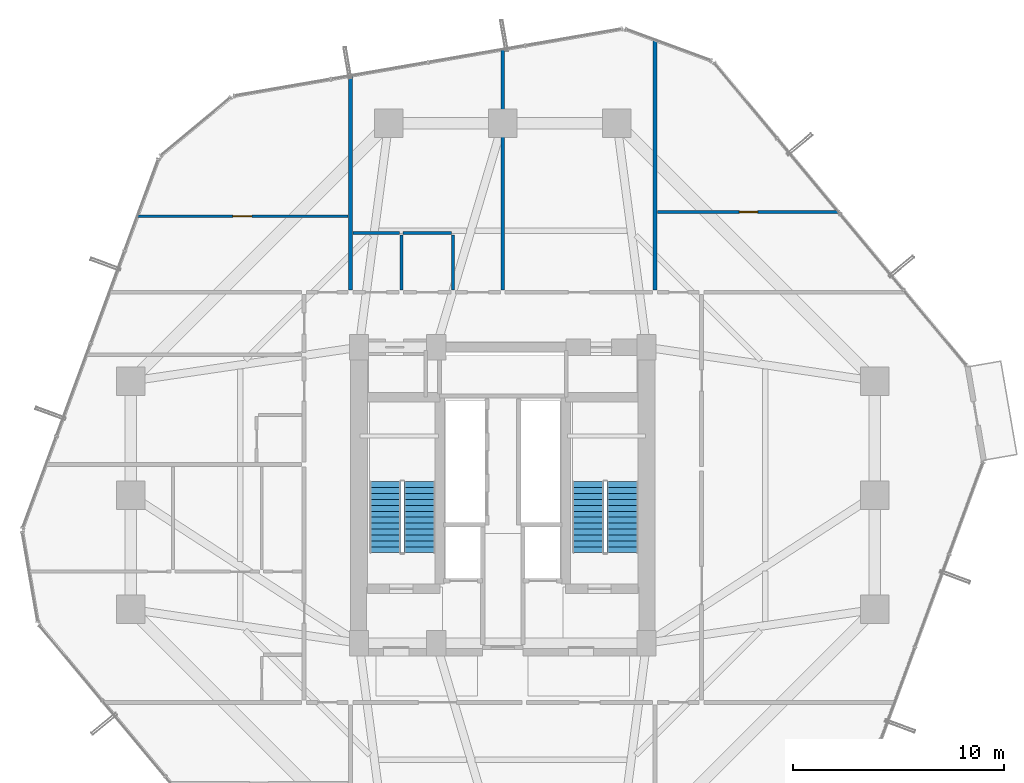
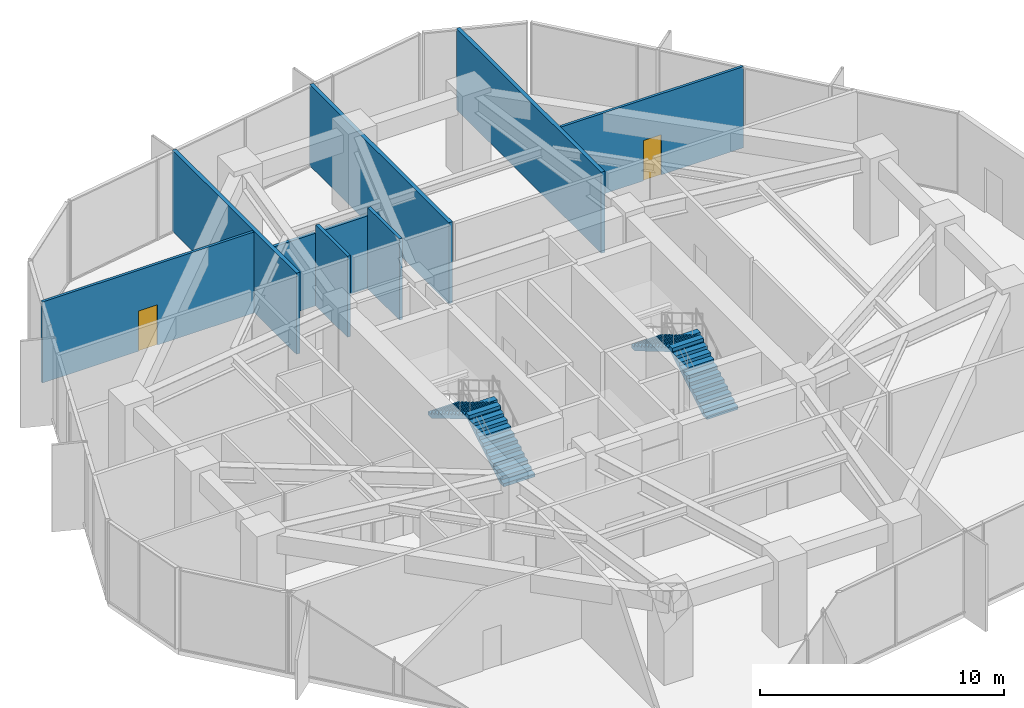
# One storey, part 33 of 35: 9 walls, 4 stair flights, 2 doors, 2 openings, 2 elements without a shape of their own.
"""IFC4 building model written with IfcOpenShell, lengths in metres."""

from ifc_helpers import new_model, si_unit, direction, frame, frame_2d, origin, place, context, subcontext, project, spatial, polyline, rectangle, outline, extrude, source, transform, mapped, material, layer, layer_set, type_object, element, fill, aggregate, save


model = new_model("IFC4")

# Units and contexts
model_context = context("Model", 3, precision=1e-05, world=origin(), true_north=direction((0.0, 1.0)))
body_context = subcontext(model_context, "Body", "Model", "MODEL_VIEW")
ifc_project = project(units=[si_unit("LENGTHUNIT", "METRE"), si_unit("AREAUNIT", "SQUARE_METRE"), si_unit("VOLUMEUNIT", "CUBIC_METRE"), si_unit("PLANEANGLEUNIT", "RADIAN"), si_unit("MASSUNIT", "GRAM", prefix="KILO")], contexts=[model_context])

# Site, building, storey
site_placement = place(None, origin())
site = spatial("IfcSite", under=ifc_project, at=site_placement, CompositionType="ELEMENT")
building_placement = place(site_placement, origin())
building = spatial("IfcBuilding", under=site, at=building_placement, Name="Veraguas Prism Commons", CompositionType="ELEMENT")
storey_placement = place(building_placement, frame((0.0, 0.0, 56.550048828125)))
storey = spatial("IfcBuildingStorey", under=building, at=storey_placement, Name="L15", CompositionType="ELEMENT", Elevation=56.550048828125)

# Walls
ifc_material_1 = material(Name="Autoclaved aerated masonry block 10 MPa", Category="masonry")
ifc_layer_1 = layer(ifc_material_1, 0.179931640625, Name="Corridor and Inter-Tenancy Partition 180", Category="masonry")
ifc_layer_set_1 = layer_set([ifc_layer_1], Name="Autoclaved aerated masonry block 10 MPa")
wall_type_1 = type_object("IfcWallType", Name="Corridor and Inter-Tenancy Partition 180", PredefinedType="PARTITIONING", material=ifc_layer_set_1)
wall_1_placement = place(storey_placement, frame((16.800048828125, 33.719970703125, 0.0), z_axis=(0.0, 0.0, 1.0), x_axis=(0.0, 1.0, 0.0)))
element("IfcWall", 1, at=wall_1_placement, inside=storey, type_object=wall_type_1, Name="WL-L15-PT005", PredefinedType="PARTITIONING", context=body_context, shape_type="SweptSolid", body=[
    extrude(rectangle(XDim=10.1591796875, YDim=0.179931640625, at=frame_2d((5.07958984375, 0.0))), origin(), (0.0, 0.0, 1.0), 4.050048828125),
])
wall_2_placement = place(storey_placement, frame((31.199951171875, 33.719970703125, 0.0), z_axis=(0.0, 0.0, 1.0), x_axis=(0.0, 1.0, 0.0)))
element("IfcWall", 2, at=wall_2_placement, inside=storey, type_object=wall_type_1, Name="WL-L15-PT006", PredefinedType="PARTITIONING", context=body_context, shape_type="SweptSolid", body=[
    extrude(rectangle(XDim=11.8515625, YDim=0.179931640625, at=frame_2d((5.92578125, 0.0))), origin(), (0.0, 0.0, 1.0), 4.050048828125),
])
wall_3_placement = place(storey_placement, frame((24.0, 33.719970703125, 0.0), z_axis=(0.0, 0.0, 1.0), x_axis=(0.0, 1.0, 0.0)))
element("IfcWall", 3, at=wall_3_placement, inside=storey, type_object=wall_type_1, Name="WL-L15-PT015", PredefinedType="PARTITIONING", context=body_context, shape_type="SweptSolid", body=[
    extrude(rectangle(XDim=11.40283203125, YDim=0.179931640625, at=frame_2d((5.701416015625, 0.0))), origin(), (0.0, 0.0, 1.0), 4.050048828125),
])

# Wall, opening, door
ifc_material_2 = material(Name="Lightweight acoustic gypsum board")
ifc_layer_2 = layer(ifc_material_2, 0.125, Name="Internal Apartment Room Partition 125")
ifc_layer_set_2 = layer_set([ifc_layer_2], Name="Lightweight acoustic gypsum board")
wall_type_2 = type_object("IfcWallType", Name="Internal Apartment Room Partition 125", PredefinedType="PARTITIONING", material=ifc_layer_set_2)
wall_4_placement = place(storey_placement, frame((6.677978515625, 37.199951171875, 0.0), z_axis=(0.0, 0.0, 1.0), x_axis=(1.0, 0.0, 0.0)))
wall_4 = element("IfcWall", 4, at=wall_4_placement, inside=storey, type_object=wall_type_2, Name="WL-L15-PT040", PredefinedType="PARTITIONING", context=body_context, shape_type="SweptSolid", body=[
    extrude(rectangle(XDim=10.001953125, YDim=0.125, at=frame_2d((5.0009765625, 0.0))), origin(), (0.0, 0.0, 1.0), 4.050048828125),
])
opening_1_placement = place(wall_4_placement, frame((4.551025390625, 0.0, 0.0)))
opening_1 = element("IfcOpeningElement", 5, at=opening_1_placement, cuts=wall_4, Name="Opening DR-02", PredefinedType="OPENING", context=body_context, shape_type="SweptSolid", body=[
    extrude(rectangle(XDim=0.89990234375, YDim=2.010009765625, at=frame_2d((0.449951171875, 1.0048828125))), frame((0.0, 0.072509765625, 0.0), z_axis=(0.0, -1.0, 0.0), x_axis=(1.0, 0.0, 0.0)), (0.0, 0.0, 1.0), 0.14501953125),
])
ifc_material_3 = material(Name="Timber solid core hardwood", Category="wood")
door_type_1 = type_object("IfcDoorType", Name="Internal Habitable Room Door 900x2010", OperationType="NOTDEFINED", PredefinedType="DOOR", material=ifc_material_3)
shared_shape_1 = source(origin(), body_context, "Body", "SweptSolid", [
    extrude(rectangle(XDim=0.89990234375, YDim=2.010009765625, at=frame_2d((0.449951171875, 1.0048828125))), frame((0.0, 0.02490234375, 0.0), z_axis=(0.0, -1.0, 0.0), x_axis=(1.0, 0.0, 0.0)), (0.0, 0.0, 1.0), 0.050048828125),
])
door_1_placement = place(opening_1_placement, origin())
door_1 = element("IfcDoor", 6, at=door_1_placement, inside=storey, type_object=door_type_1, Name="Craft Room NW Door", OperationType="SINGLE_SWING_RIGHT", OverallHeight=2.010009765625, OverallWidth=0.89990234375, PredefinedType="DOOR", context=body_context, shape_type="MappedRepresentation", body=[
    mapped(shared_shape_1, transform((0.0, 0.0, 0.0), scale=1.0)),
])
fill(opening_1, door_1)

wall_5_placement = place(storey_placement, frame((31.320068359375, 37.39990234375, 0.0), z_axis=(0.0, 0.0, 1.0), x_axis=(1.0, 0.0, 0.0)))
wall_5 = element("IfcWall", 7, at=wall_5_placement, inside=storey, type_object=wall_type_2, Name="WL-L15-PT042", PredefinedType="PARTITIONING", context=body_context, shape_type="SweptSolid", body=[
    extrude(rectangle(XDim=8.60791015625, YDim=0.125, at=frame_2d((4.303955078125, 0.0))), origin(), (0.0, 0.0, 1.0), 4.050048828125),
])
opening_2_placement = place(wall_5_placement, frame((3.8740234375, 0.0, 0.0)))
opening_2 = element("IfcOpeningElement", 8, at=opening_2_placement, cuts=wall_5, Name="Opening DR-03", PredefinedType="OPENING", context=body_context, shape_type="SweptSolid", body=[
    extrude(rectangle(XDim=0.860107421875, YDim=2.010009765625, at=frame_2d((0.43017578125, 1.0048828125))), frame((0.0, 0.072509765625, 0.0), z_axis=(0.0, -1.0, 0.0), x_axis=(1.0, 0.0, 0.0)), (0.0, 0.0, 1.0), 0.14501953125),
])
ifc_material_4 = material(Name="Timber moisture-resistant leaf", Category="wood")
door_type_2 = type_object("IfcDoorType", Name="Internal Bathroom Door 860x2010", OperationType="NOTDEFINED", PredefinedType="DOOR", material=ifc_material_4)
shared_shape_2 = source(origin(), body_context, "Body", "SweptSolid", [
    extrude(rectangle(XDim=0.860107421875, YDim=2.010009765625, at=frame_2d((0.43017578125, 1.0048828125))), frame((0.0, 0.02490234375, 0.0), z_axis=(0.0, -1.0, 0.0), x_axis=(1.0, 0.0, 0.0)), (0.0, 0.0, 1.0), 0.050048828125),
])
door_2_placement = place(opening_2_placement, origin())
door_2 = element("IfcDoor", 9, at=door_2_placement, inside=storey, type_object=door_type_2, Name="Corner Store NE Door", OperationType="SINGLE_SWING_RIGHT", OverallHeight=2.010009765625, OverallWidth=0.860107421875, PredefinedType="DOOR", context=body_context, shape_type="MappedRepresentation", body=[
    mapped(shared_shape_2, transform((0.0, 0.0, 0.0), scale=1.0)),
])
fill(opening_2, door_2)

# Walls
ifc_layer_3 = layer(ifc_material_2, 0.14990234375, Name="Wet Room and Clinic Acoustic Partition 150")
ifc_layer_set_3 = layer_set([ifc_layer_3], Name="Lightweight acoustic gypsum board")
wall_type_3 = type_object("IfcWallType", Name="Wet Room and Clinic Acoustic Partition 150", PredefinedType="PARTITIONING", material=ifc_layer_set_3)
for number, where, z_axis, x_axis, name in (
    (10, (19.199951171875, 33.719970703125, 0.0), (0.0, 0.0, 1.0), (0.0, 1.0, 0.0), "WL-L15-PT011"),
    (11, (21.64990234375, 33.719970703125, 0.0), (0.0, 0.0, 1.0), (0.0, 1.0, 0.0), "WL-L15-PT012"),
):
    element("IfcWall", number, at=place(storey_placement, frame(where, z_axis=z_axis, x_axis=x_axis)), inside=storey, type_object=wall_type_3, Name=name, PredefinedType="PARTITIONING", context=body_context, shape_type="SweptSolid", body=[
        extrude(rectangle(XDim=2.60009765625, YDim=0.14990234375, at=frame_2d((1.300048828125, 0.0))), origin(), (0.0, 0.0, 1.0), 4.050048828125),
    ])
wall_6_placement = place(storey_placement, frame((16.919921875, 36.39990234375, 0.0), z_axis=(0.0, 0.0, 1.0), x_axis=(1.0, 0.0, 0.0)))
element("IfcWall", 12, at=wall_6_placement, inside=storey, type_object=wall_type_3, Name="WL-L15-PT013", PredefinedType="PARTITIONING", context=body_context, shape_type="SweptSolid", body=[
    extrude(rectangle(XDim=2.2001953125, YDim=0.14990234375, at=frame_2d((1.10009765625, 0.0))), origin(), (0.0, 0.0, 1.0), 3.6298828125),
])
wall_7_placement = place(storey_placement, frame((19.280029296875, 36.39990234375, 0.0), z_axis=(0.0, 0.0, 1.0), x_axis=(1.0, 0.0, 0.0)))
element("IfcWall", 13, at=wall_7_placement, inside=storey, type_object=wall_type_3, Name="WL-L15-PT014", PredefinedType="PARTITIONING", context=body_context, shape_type="SweptSolid", body=[
    extrude(rectangle(XDim=2.2900390625, YDim=0.14990234375, at=frame_2d((1.14501953125, 0.0))), origin(), (0.0, 0.0, 1.0), 3.6298828125),
])

# Stair, stair flights
ifc_material_5 = material(Name="Precast concrete C45/55", Category="concrete")
stair_type = type_object("IfcStairType", Name="Dogleg Core Stair 1480W 26R 06", PredefinedType="HALF_TURN_STAIR", material=ifc_material_5)
stair_1_placement = place(storey_placement, origin())
stair_1 = element("IfcStair", 14, at=stair_1_placement, inside=storey, type_object=stair_type, Name="Protected Exit Stair ST-01 L15", PredefinedType="HALF_TURN_STAIR")
stair_flight_type = type_object("IfcStairFlightType", Name="Precast Stair Flight 1480W 13R 06", PredefinedType="STRAIGHT", material=ifc_material_5)
stair_flight_1_placement = place(storey_placement, frame((20.06005859375, 21.280029296875, 0.0), z_axis=(0.0, 0.0, 1.0), x_axis=(0.0, 1.0, 0.0)))
stair_flight_1 = element("IfcStairFlight", 15, at=stair_flight_1_placement, type_object=stair_flight_type, Name="ST-06 Flight 1", NumberOfRisers=13, NumberOfTreads=12, PredefinedType="STRAIGHT", RiserHeight=0.165384615, TreadLength=0.28, context=body_context, shape_type="SweptSolid", body=[
    extrude(outline(polyline([(0.0, 0.0), (0.0, 0.165283203125), (0.280029296875, 0.165283203125), (0.280029296875, 0.330810546875), (0.56005859375, 0.330810546875), (0.56005859375, 0.49609375), (0.840087890625, 0.49609375), (0.840087890625, 0.66162109375), (1.1201171875, 0.66162109375), (1.1201171875, 0.826904296875), (1.39990234375, 0.826904296875), (1.39990234375, 0.9921875), (1.679931640625, 0.9921875), (1.679931640625, 1.15771484375), (1.9599609375, 1.15771484375), (1.9599609375, 1.322998046875), (2.239990234375, 1.322998046875), (2.239990234375, 1.488525390625), (2.52001953125, 1.488525390625), (2.52001953125, 1.65380859375), (2.800048828125, 1.65380859375), (2.800048828125, 1.8193359375), (3.080078125, 1.8193359375), (3.080078125, 1.984619140625), (3.360107421875, 1.984619140625), (3.360107421875, 2.14990234375), (3.360107421875, 1.810546875), (0.294677734375, 0.0), (0.0, 0.0)])), frame((0.0, 0.739990234375, 0.0), z_axis=(0.0, -1.0, 0.0), x_axis=(1.0, 0.0, 0.0)), (0.0, 0.0, 1.0), 1.47998046875),
])
stair_flight_2_placement = place(storey_placement, frame((18.429931640625, 24.639892578125, 2.14990234375), z_axis=(0.0, 0.0, 1.0), x_axis=(0.0, -1.0, 0.0)))
stair_flight_2 = element("IfcStairFlight", 16, at=stair_flight_2_placement, type_object=stair_flight_type, Name="ST-06 Flight 2", NumberOfRisers=13, NumberOfTreads=12, PredefinedType="STRAIGHT", RiserHeight=0.165384615, TreadLength=0.28, context=body_context, shape_type="SweptSolid", body=[
    extrude(outline(polyline([(0.0, 0.0), (0.0, 0.165283203125), (0.280029296875, 0.165283203125), (0.280029296875, 0.330810546875), (0.56005859375, 0.330810546875), (0.56005859375, 0.49609375), (0.840087890625, 0.49609375), (0.840087890625, 0.66162109375), (1.1201171875, 0.66162109375), (1.1201171875, 0.826904296875), (1.39990234375, 0.826904296875), (1.39990234375, 0.9921875), (1.679931640625, 0.9921875), (1.679931640625, 1.15771484375), (1.9599609375, 1.15771484375), (1.9599609375, 1.322998046875), (2.239990234375, 1.322998046875), (2.239990234375, 1.488525390625), (2.52001953125, 1.488525390625), (2.52001953125, 1.65380859375), (2.800048828125, 1.65380859375), (2.800048828125, 1.8193359375), (3.080078125, 1.8193359375), (3.080078125, 1.984619140625), (3.360107421875, 1.984619140625), (3.360107421875, 2.14990234375), (3.360107421875, 1.810546875), (0.294677734375, 0.0), (0.0, 0.0)])), frame((0.0, 0.739990234375, 0.0), z_axis=(0.0, -1.0, 0.0), x_axis=(1.0, 0.0, 0.0)), (0.0, 0.0, 1.0), 1.47998046875),
])
aggregate(stair_1, [stair_flight_1, stair_flight_2])

stair_2_placement = place(storey_placement, origin())
stair_2 = element("IfcStair", 17, at=stair_2_placement, inside=storey, type_object=stair_type, Name="Protected Exit Stair ST-02 L15", PredefinedType="HALF_TURN_STAIR")
stair_flight_3_placement = place(storey_placement, frame((29.659912109375, 21.280029296875, 0.0), z_axis=(0.0, 0.0, 1.0), x_axis=(0.0, 1.0, 0.0)))
stair_flight_3 = element("IfcStairFlight", 18, at=stair_flight_3_placement, type_object=stair_flight_type, Name="ST-06 Flight 1", NumberOfRisers=13, NumberOfTreads=12, PredefinedType="STRAIGHT", RiserHeight=0.165384615, TreadLength=0.28, context=body_context, shape_type="SweptSolid", body=[
    extrude(outline(polyline([(0.0, 0.0), (0.0, 0.165283203125), (0.280029296875, 0.165283203125), (0.280029296875, 0.330810546875), (0.56005859375, 0.330810546875), (0.56005859375, 0.49609375), (0.840087890625, 0.49609375), (0.840087890625, 0.66162109375), (1.1201171875, 0.66162109375), (1.1201171875, 0.826904296875), (1.39990234375, 0.826904296875), (1.39990234375, 0.9921875), (1.679931640625, 0.9921875), (1.679931640625, 1.15771484375), (1.9599609375, 1.15771484375), (1.9599609375, 1.322998046875), (2.239990234375, 1.322998046875), (2.239990234375, 1.488525390625), (2.52001953125, 1.488525390625), (2.52001953125, 1.65380859375), (2.800048828125, 1.65380859375), (2.800048828125, 1.8193359375), (3.080078125, 1.8193359375), (3.080078125, 1.984619140625), (3.360107421875, 1.984619140625), (3.360107421875, 2.14990234375), (3.360107421875, 1.810546875), (0.294677734375, 0.0), (0.0, 0.0)])), frame((0.0, 0.739990234375, 0.0), z_axis=(0.0, -1.0, 0.0), x_axis=(1.0, 0.0, 0.0)), (0.0, 0.0, 1.0), 1.47998046875),
])
stair_flight_4_placement = place(storey_placement, frame((28.030029296875, 24.639892578125, 2.14990234375), z_axis=(0.0, 0.0, 1.0), x_axis=(0.0, -1.0, 0.0)))
stair_flight_4 = element("IfcStairFlight", 19, at=stair_flight_4_placement, type_object=stair_flight_type, Name="ST-06 Flight 2", NumberOfRisers=13, NumberOfTreads=12, PredefinedType="STRAIGHT", RiserHeight=0.165384615, TreadLength=0.28, context=body_context, shape_type="SweptSolid", body=[
    extrude(outline(polyline([(0.0, 0.0), (0.0, 0.165283203125), (0.280029296875, 0.165283203125), (0.280029296875, 0.330810546875), (0.56005859375, 0.330810546875), (0.56005859375, 0.49609375), (0.840087890625, 0.49609375), (0.840087890625, 0.66162109375), (1.1201171875, 0.66162109375), (1.1201171875, 0.826904296875), (1.39990234375, 0.826904296875), (1.39990234375, 0.9921875), (1.679931640625, 0.9921875), (1.679931640625, 1.15771484375), (1.9599609375, 1.15771484375), (1.9599609375, 1.322998046875), (2.239990234375, 1.322998046875), (2.239990234375, 1.488525390625), (2.52001953125, 1.488525390625), (2.52001953125, 1.65380859375), (2.800048828125, 1.65380859375), (2.800048828125, 1.8193359375), (3.080078125, 1.8193359375), (3.080078125, 1.984619140625), (3.360107421875, 1.984619140625), (3.360107421875, 2.14990234375), (3.360107421875, 1.810546875), (0.294677734375, 0.0), (0.0, 0.0)])), frame((0.0, 0.739990234375, 0.0), z_axis=(0.0, -1.0, 0.0), x_axis=(1.0, 0.0, 0.0)), (0.0, 0.0, 1.0), 1.47998046875),
])
aggregate(stair_2, [stair_flight_3, stair_flight_4])

save(model, "model.ifc")
